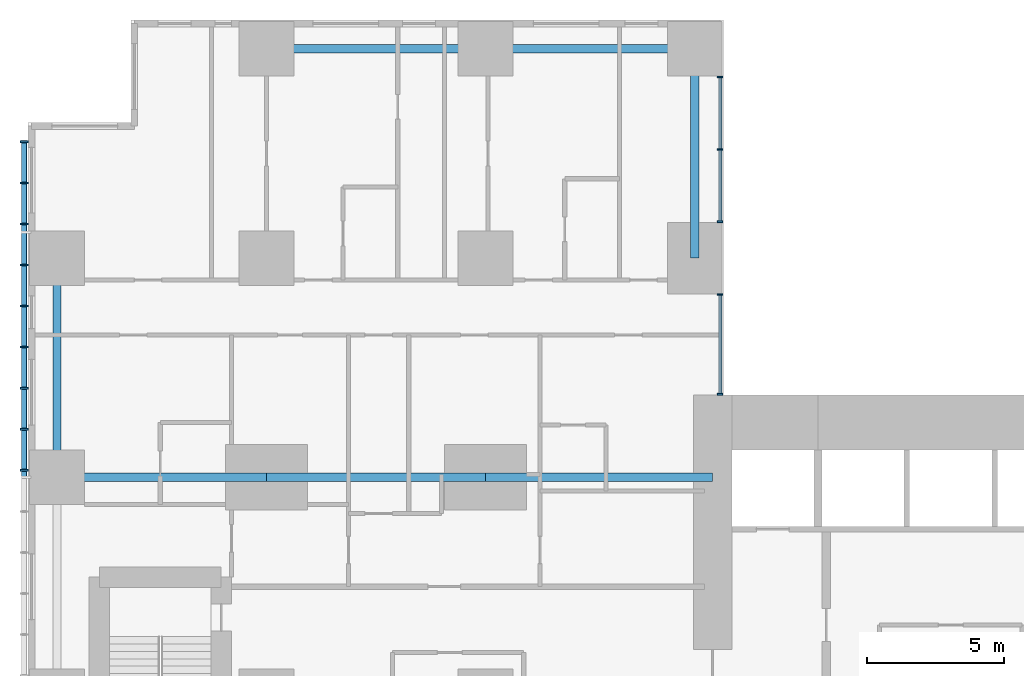
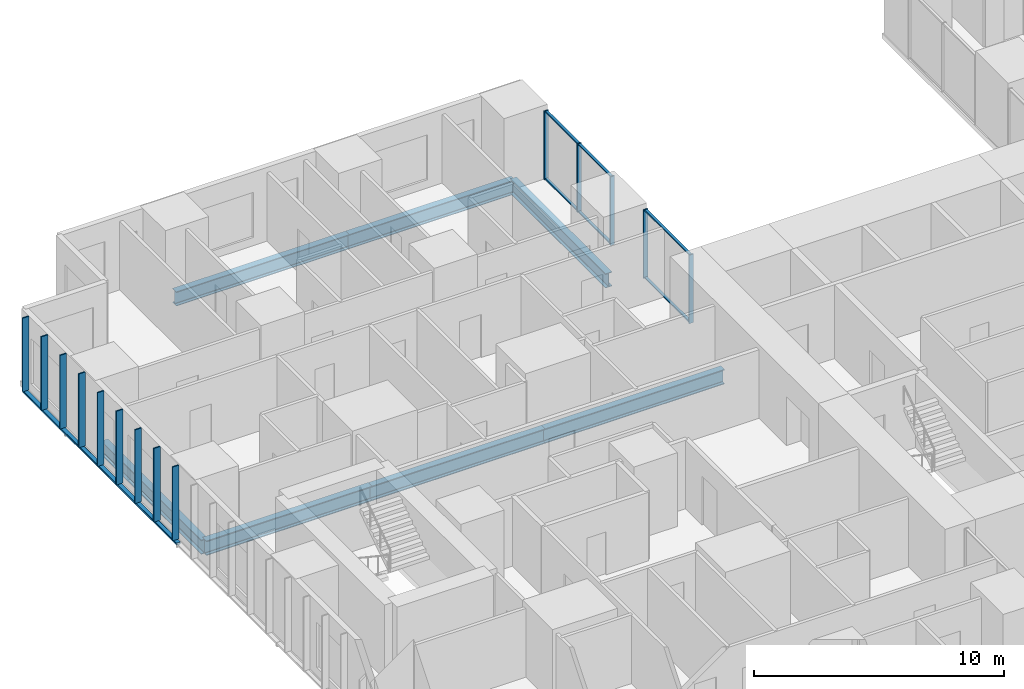
# One storey, part 4 of 21: 21 members, 7 beams, 2 elements without a shape of their own.
"""IFC4 building model written with IfcOpenShell, lengths in metres."""

from ifc_helpers import new_model, si_unit, direction, frame, origin, origin_2d, place, context, subcontext, project, spatial, rectangle, hollow_rectangle, i_section, extrude, material, layer, layer_set, material_profile, profile_set, type_object, element, aggregate, save


model = new_model("IFC4")

# Units and contexts
model_context = context("Model", 3, precision=1e-05, world=origin(), true_north=direction((0.0, 1.0)))
body_context = subcontext(model_context, "Body", "Model", "MODEL_VIEW")
ifc_project = project(units=[si_unit("LENGTHUNIT", "METRE"), si_unit("AREAUNIT", "SQUARE_METRE"), si_unit("VOLUMEUNIT", "CUBIC_METRE"), si_unit("PLANEANGLEUNIT", "RADIAN"), si_unit("MASSUNIT", "GRAM", prefix="KILO")], contexts=[model_context])

# Site, building, storey
site_placement = place(None, origin())
site = spatial("IfcSite", under=ifc_project, at=site_placement, CompositionType="ELEMENT")
building_placement = place(site_placement, origin())
building = spatial("IfcBuilding", under=site, at=building_placement, Name="Cleftline Residences", CompositionType="ELEMENT")
storey_placement = place(building_placement, frame((0.0, 0.0, 128.60009765625)))
storey = spatial("IfcBuildingStorey", under=building, at=storey_placement, Name="L33", CompositionType="ELEMENT", Elevation=128.60009765625)

# Member
ifc_material_1 = material(Name="Steel S355, hot-dip galvanised", Category="steel")
ifc_material_profile_1 = material_profile(ifc_material_1, hollow_rectangle(XDim=0.10009765625, YDim=0.199951171875, WallThickness=0.008056640625, InnerFilletRadius=0.008056640625, OuterFilletRadius=0.011962890625, at=origin_2d()))
ifc_profile_set_1 = profile_set([ifc_material_profile_1], Name="Steel S355, hot-dip galvanised")
member_type_1 = type_object("IfcMemberType", Name="BAGUETTE CARRIER RHS 200X100X8", PredefinedType="USERDEFINED", material=ifc_profile_set_1)
member_1_placement = place(storey_placement, frame((-0.85009765625, 44.300048828125, -0.050048828125), z_axis=(0.0, -1.0, 0.0), x_axis=(0.0, 0.0, 1.0)))
element("IfcMember", 1, at=member_1_placement, inside=storey, type_object=member_type_1, Name="Baguette carrier", ObjectType="BAGUETTE CARRIER", PredefinedType="USERDEFINED", context=body_context, shape_type="SweptSolid", body=[
    extrude(hollow_rectangle(XDim=0.10009765625, YDim=0.199951171875, WallThickness=0.008056640625, InnerFilletRadius=0.008056640625, OuterFilletRadius=0.011962890625, at=origin_2d()), origin(), (0.0, 0.0, 1.0), 12.300048828125),
])

# Beams
ifc_material_2 = material(Name="Steel S355", Category="steel")
ifc_material_profile_2 = material_profile(ifc_material_2, i_section(OverallWidth=0.300048828125, OverallDepth=0.699951171875, WebThickness=0.01708984375, FlangeThickness=0.031982421875, FilletRadius=0.027099609375, at=origin_2d()))
ifc_profile_set_2 = profile_set([ifc_material_profile_2], Name="Steel S355")
beam_type_1 = type_object("IfcBeamType", Name="BEAM HEB 700", PredefinedType="BEAM", material=ifc_profile_set_2)
for number, where, z_axis, x_axis, name in (
    (2, (0.35009765625, 32.0, -0.60009765625), (0.0, 1.0, 0.0), (-1.0, 0.0, 0.0), "Edge beam"),
    (3, (8.0, 47.64990234375, -0.60009765625), (1.0, 0.0, 0.0), (0.0, 1.0, 0.0), "Edge beam"),
):
    element("IfcBeam", number, at=place(storey_placement, frame(where, z_axis=z_axis, x_axis=x_axis)), inside=storey, type_object=beam_type_1, Name=name, PredefinedType="BEAM", context=body_context, shape_type="SweptSolid", body=[
        extrude(i_section(OverallWidth=0.300048828125, OverallDepth=0.699951171875, WebThickness=0.01708984375, FlangeThickness=0.031982421875, FilletRadius=0.027099609375, at=origin_2d()), origin(), (0.0, 0.0, 1.0), 8.0),
    ])
for number, where, z_axis, x_axis, name in (
    (4, (16.0, 47.64990234375, -0.60009765625), (1.0, 0.0, 0.0), (0.0, 1.0, 0.0), "Edge beam"),
    (5, (23.64990234375, 47.64990234375, -0.60009765625), (0.0, -1.0, 0.0), (1.0, 0.0, 0.0), "Edge beam"),
):
    element("IfcBeam", number, at=place(storey_placement, frame(where, z_axis=z_axis, x_axis=x_axis)), inside=storey, type_object=beam_type_1, Name=name, PredefinedType="BEAM", context=body_context, shape_type="SweptSolid", body=[
        extrude(i_section(OverallWidth=0.300048828125, OverallDepth=0.699951171875, WebThickness=0.01708984375, FlangeThickness=0.031982421875, FilletRadius=0.027099609375, at=origin_2d()), origin(), (0.0, 0.0, 1.0), 7.64990234375),
    ])
ifc_material_3 = material(Name="Steel S355", Category="steel")
ifc_material_profile_3 = material_profile(ifc_material_3, i_section(OverallWidth=0.303955078125, OverallDepth=0.716064453125, WebThickness=0.02099609375, FlangeThickness=0.0400390625, FilletRadius=0.027099609375, at=origin_2d()))
ifc_profile_set_3 = profile_set([ifc_material_profile_3], Name="Steel S355")
beam_type_2 = type_object("IfcBeamType", Name="BEAM HEM 700", PredefinedType="BEAM", material=ifc_profile_set_3)
beam_1_placement = place(storey_placement, frame((0.35009765625, 32.0, -0.608154296875), z_axis=(1.0, 0.0, 0.0), x_axis=(0.0, 1.0, 0.0)))
element("IfcBeam", 6, at=beam_1_placement, inside=storey, type_object=beam_type_2, Name="Band beam", PredefinedType="BEAM", context=body_context, shape_type="SweptSolid", body=[
    extrude(i_section(OverallWidth=0.303955078125, OverallDepth=0.716064453125, WebThickness=0.02099609375, FlangeThickness=0.0400390625, FilletRadius=0.027099609375, at=origin_2d()), origin(), (0.0, 0.0, 1.0), 7.64990234375),
])
beam_2_placement = place(storey_placement, frame((8.0, 32.0, -0.608154296875), z_axis=(1.0, 0.0, 0.0), x_axis=(0.0, 1.0, 0.0)))
element("IfcBeam", 7, at=beam_2_placement, inside=storey, type_object=beam_type_2, Name="Band beam", PredefinedType="BEAM", context=body_context, shape_type="SweptSolid", body=[
    extrude(i_section(OverallWidth=0.303955078125, OverallDepth=0.716064453125, WebThickness=0.02099609375, FlangeThickness=0.0400390625, FilletRadius=0.027099609375, at=origin_2d()), origin(), (0.0, 0.0, 1.0), 8.0),
])
beam_3_placement = place(storey_placement, frame((16.0, 32.0, -0.608154296875), z_axis=(1.0, 0.0, 0.0), x_axis=(0.0, 1.0, 0.0)))
element("IfcBeam", 8, at=beam_3_placement, inside=storey, type_object=beam_type_2, Name="Band beam", PredefinedType="BEAM", context=body_context, shape_type="SweptSolid", body=[
    extrude(i_section(OverallWidth=0.303955078125, OverallDepth=0.716064453125, WebThickness=0.02099609375, FlangeThickness=0.0400390625, FilletRadius=0.027099609375, at=origin_2d()), origin(), (0.0, 0.0, 1.0), 8.300048828125),
])

# Curtain wall, members
ifc_material_4 = material(Name="Aluminium framed curtain wall", Category="aluminium")
ifc_layer = layer(ifc_material_4, 0.199951171875)
ifc_layer_set = layer_set([ifc_layer], Name="CW1 CLEFT GLAZING")
curtain_wall_type = type_object("IfcCurtainWallType", Name="CW1 CLEFT GLAZING", PredefinedType="NOTDEFINED", material=ifc_layer_set)
curtain_wall_1_placement = place(storey_placement, origin())
curtain_wall_1 = element("IfcCurtainWall", 9, at=curtain_wall_1_placement, inside=storey, type_object=curtain_wall_type, Name="Curtain wall CW1", PredefinedType="NOTDEFINED")
ifc_material_5 = material(Name="Aluminium mullion", Category="aluminium")
ifc_material_profile_4 = material_profile(ifc_material_5, rectangle(XDim=0.199951171875, YDim=0.06005859375, at=origin_2d()))
ifc_profile_set_4 = profile_set([ifc_material_profile_4], Name="Aluminium mullion")
member_type_2 = type_object("IfcMemberType", Name="CW1 MULLION", PredefinedType="MULLION", material=ifc_profile_set_4)
member_2_placement = place(storey_placement, frame((24.574951171875, 35.030029296875, 0.0), z_axis=(0.0, 0.0, 1.0), x_axis=(-1.0, 0.0, 0.0)))
member_2 = element("IfcMember", 10, at=member_2_placement, type_object=member_type_2, Name="CW1 mullion 1", PredefinedType="MULLION", context=body_context, shape_type="SweptSolid", body=[
    extrude(rectangle(XDim=0.199951171875, YDim=0.06005859375, at=origin_2d()), origin(), (0.0, 0.0, 1.0), 3.349853515625),
])
member_3_placement = place(storey_placement, frame((24.574951171875, 38.669921875, 0.0), z_axis=(0.0, 0.0, 1.0), x_axis=(-1.0, 0.0, 0.0)))
member_3 = element("IfcMember", 11, at=member_3_placement, type_object=member_type_2, Name="CW1 mullion 2", PredefinedType="MULLION", context=body_context, shape_type="SweptSolid", body=[
    extrude(rectangle(XDim=0.199951171875, YDim=0.06005859375, at=origin_2d()), origin(), (0.0, 0.0, 1.0), 3.349853515625),
])

curtain_wall_2_placement = place(storey_placement, origin())
curtain_wall_2 = element("IfcCurtainWall", 12, at=curtain_wall_2_placement, inside=storey, type_object=curtain_wall_type, Name="Curtain wall CW1", PredefinedType="NOTDEFINED")
member_4_placement = place(storey_placement, frame((24.574951171875, 41.330078125, 0.0), z_axis=(0.0, 0.0, 1.0), x_axis=(-1.0, 0.0, 0.0)))
member_4 = element("IfcMember", 13, at=member_4_placement, type_object=member_type_2, Name="CW1 mullion 1", PredefinedType="MULLION", context=body_context, shape_type="SweptSolid", body=[
    extrude(rectangle(XDim=0.199951171875, YDim=0.06005859375, at=origin_2d()), origin(), (0.0, 0.0, 1.0), 3.349853515625),
])
member_5_placement = place(storey_placement, frame((24.574951171875, 43.97509765625, 0.0), z_axis=(0.0, 0.0, 1.0), x_axis=(-1.0, 0.0, 0.0)))
member_5 = element("IfcMember", 14, at=member_5_placement, type_object=member_type_2, Name="CW1 mullion 2", PredefinedType="MULLION", context=body_context, shape_type="SweptSolid", body=[
    extrude(rectangle(XDim=0.199951171875, YDim=0.06005859375, at=origin_2d()), origin(), (0.0, 0.0, 1.0), 3.349853515625),
])
member_6_placement = place(storey_placement, frame((24.574951171875, 46.6201171875, 0.0), z_axis=(0.0, 0.0, 1.0), x_axis=(-1.0, 0.0, 0.0)))
member_6 = element("IfcMember", 15, at=member_6_placement, type_object=member_type_2, Name="CW1 mullion 3", PredefinedType="MULLION", context=body_context, shape_type="SweptSolid", body=[
    extrude(rectangle(XDim=0.199951171875, YDim=0.06005859375, at=origin_2d()), origin(), (0.0, 0.0, 1.0), 3.349853515625),
])

# Member
ifc_material_6 = material(Name="Aluminium transom", Category="aluminium")
ifc_material_profile_5 = material_profile(ifc_material_6, rectangle(XDim=0.1201171875, YDim=0.06005859375, at=origin_2d()))
ifc_profile_set_5 = profile_set([ifc_material_profile_5], Name="Aluminium transom")
member_type_3 = type_object("IfcMemberType", Name="CW1 TRANSOM", PredefinedType="USERDEFINED", material=ifc_profile_set_5)
member_7_placement = place(storey_placement, frame((24.574951171875, 35.06005859375, 0.02978515625), z_axis=(0.0, 1.0, 0.0), x_axis=(-1.0, 0.0, 0.0)))
member_7 = element("IfcMember", 16, at=member_7_placement, type_object=member_type_3, Name="CW1 transom 1.1", ObjectType="TRANSOM", PredefinedType="USERDEFINED", context=body_context, shape_type="SweptSolid", body=[
    extrude(rectangle(XDim=0.1201171875, YDim=0.06005859375, at=origin_2d()), origin(), (0.0, 0.0, 1.0), 3.579833984375),
])

member_8_placement = place(storey_placement, frame((24.574951171875, 35.06005859375, 3.31982421875), z_axis=(0.0, 1.0, 0.0), x_axis=(-1.0, 0.0, 0.0)))
member_8 = element("IfcMember", 17, at=member_8_placement, type_object=member_type_3, Name="CW1 transom 1.2", ObjectType="TRANSOM", PredefinedType="USERDEFINED", context=body_context, shape_type="SweptSolid", body=[
    extrude(rectangle(XDim=0.1201171875, YDim=0.06005859375, at=origin_2d()), origin(), (0.0, 0.0, 1.0), 3.579833984375),
])

aggregate(curtain_wall_1, [member_2, member_3, member_7, member_8])

member_9_placement = place(storey_placement, frame((24.574951171875, 41.360107421875, 0.02978515625), z_axis=(0.0, 1.0, 0.0), x_axis=(-1.0, 0.0, 0.0)))
member_9 = element("IfcMember", 18, at=member_9_placement, type_object=member_type_3, Name="CW1 transom 1.1", ObjectType="TRANSOM", PredefinedType="USERDEFINED", context=body_context, shape_type="SweptSolid", body=[
    extrude(rectangle(XDim=0.1201171875, YDim=0.06005859375, at=origin_2d()), origin(), (0.0, 0.0, 1.0), 2.5849609375),
])

member_10_placement = place(storey_placement, frame((24.574951171875, 41.360107421875, 3.31982421875), z_axis=(0.0, 1.0, 0.0), x_axis=(-1.0, 0.0, 0.0)))
member_10 = element("IfcMember", 19, at=member_10_placement, type_object=member_type_3, Name="CW1 transom 1.2", ObjectType="TRANSOM", PredefinedType="USERDEFINED", context=body_context, shape_type="SweptSolid", body=[
    extrude(rectangle(XDim=0.1201171875, YDim=0.06005859375, at=origin_2d()), origin(), (0.0, 0.0, 1.0), 2.5849609375),
])

member_11_placement = place(storey_placement, frame((24.574951171875, 44.0048828125, 0.02978515625), z_axis=(0.0, 1.0, 0.0), x_axis=(-1.0, 0.0, 0.0)))
member_11 = element("IfcMember", 20, at=member_11_placement, type_object=member_type_3, Name="CW1 transom 2.1", ObjectType="TRANSOM", PredefinedType="USERDEFINED", context=body_context, shape_type="SweptSolid", body=[
    extrude(rectangle(XDim=0.1201171875, YDim=0.06005859375, at=origin_2d()), origin(), (0.0, 0.0, 1.0), 2.585205078125),
])

member_12_placement = place(storey_placement, frame((24.574951171875, 44.0048828125, 3.31982421875), z_axis=(0.0, 1.0, 0.0), x_axis=(-1.0, 0.0, 0.0)))
member_12 = element("IfcMember", 21, at=member_12_placement, type_object=member_type_3, Name="CW1 transom 2.2", ObjectType="TRANSOM", PredefinedType="USERDEFINED", context=body_context, shape_type="SweptSolid", body=[
    extrude(rectangle(XDim=0.1201171875, YDim=0.06005859375, at=origin_2d()), origin(), (0.0, 0.0, 1.0), 2.585205078125),
])

aggregate(curtain_wall_2, [member_4, member_5, member_6, member_9, member_10, member_11, member_12])

# Members
ifc_material_7 = material(Name="Extruded terracotta", Category="masonry")
ifc_material_profile_6 = material_profile(ifc_material_7, rectangle(XDim=0.06005859375, YDim=0.300048828125, at=origin_2d()))
ifc_profile_set_6 = profile_set([ifc_material_profile_6], Name="Extruded terracotta")
member_type_4 = type_object("IfcMemberType", Name="TERRACOTTA BAGUETTE 60X300", PredefinedType="USERDEFINED", material=ifc_profile_set_6)
for number, where, z_axis, x_axis, name in (
    (22, (-0.85009765625, 44.25, 0.0), (0.0, 0.0, 1.0), (0.0, 1.0, 0.0), "Terracotta baguette"),
    (23, (-0.85009765625, 42.75, 0.0), (0.0, 0.0, 1.0), (0.0, 1.0, 0.0), "Terracotta baguette"),
    (24, (-0.85009765625, 41.25, 0.0), (0.0, 0.0, 1.0), (0.0, 1.0, 0.0), "Terracotta baguette"),
    (25, (-0.85009765625, 39.75, 0.0), (0.0, 0.0, 1.0), (0.0, 1.0, 0.0), "Terracotta baguette"),
    (26, (-0.85009765625, 38.25, 0.0), (0.0, 0.0, 1.0), (0.0, 1.0, 0.0), "Terracotta baguette"),
    (27, (-0.85009765625, 36.75, 0.0), (0.0, 0.0, 1.0), (0.0, 1.0, 0.0), "Terracotta baguette"),
    (28, (-0.85009765625, 35.25, 0.0), (0.0, 0.0, 1.0), (0.0, 1.0, 0.0), "Terracotta baguette"),
    (29, (-0.85009765625, 33.75, 0.0), (0.0, 0.0, 1.0), (0.0, 1.0, 0.0), "Terracotta baguette"),
    (30, (-0.85009765625, 32.25, 0.0), (0.0, 0.0, 1.0), (0.0, 1.0, 0.0), "Terracotta baguette"),
):
    element("IfcMember", number, at=place(storey_placement, frame(where, z_axis=z_axis, x_axis=x_axis)), inside=storey, type_object=member_type_4, Name=name, ObjectType="BAGUETTE", PredefinedType="USERDEFINED", context=body_context, shape_type="SweptSolid", body=[
        extrude(rectangle(XDim=0.06005859375, YDim=0.300048828125, at=origin_2d()), origin(), (0.0, 0.0, 1.0), 3.599853515625),
    ])

save(model, "model.ifc")
